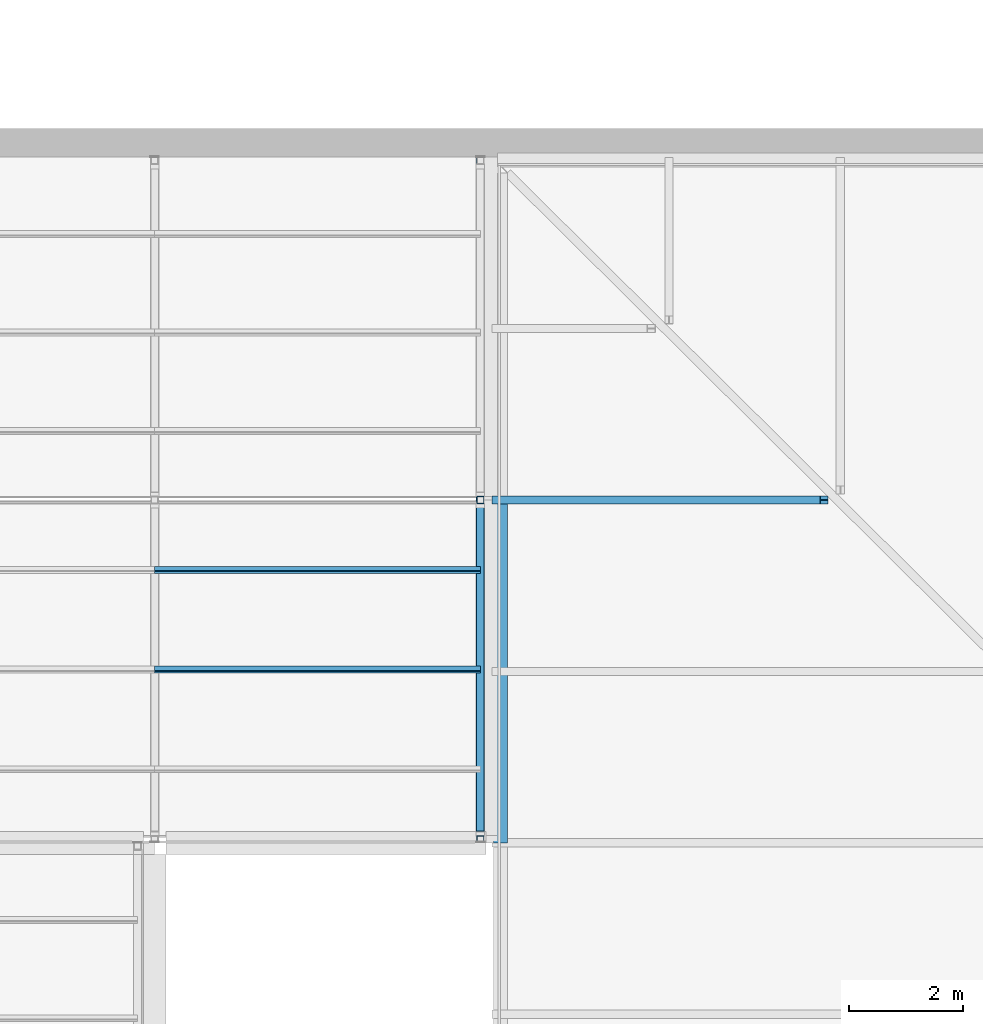
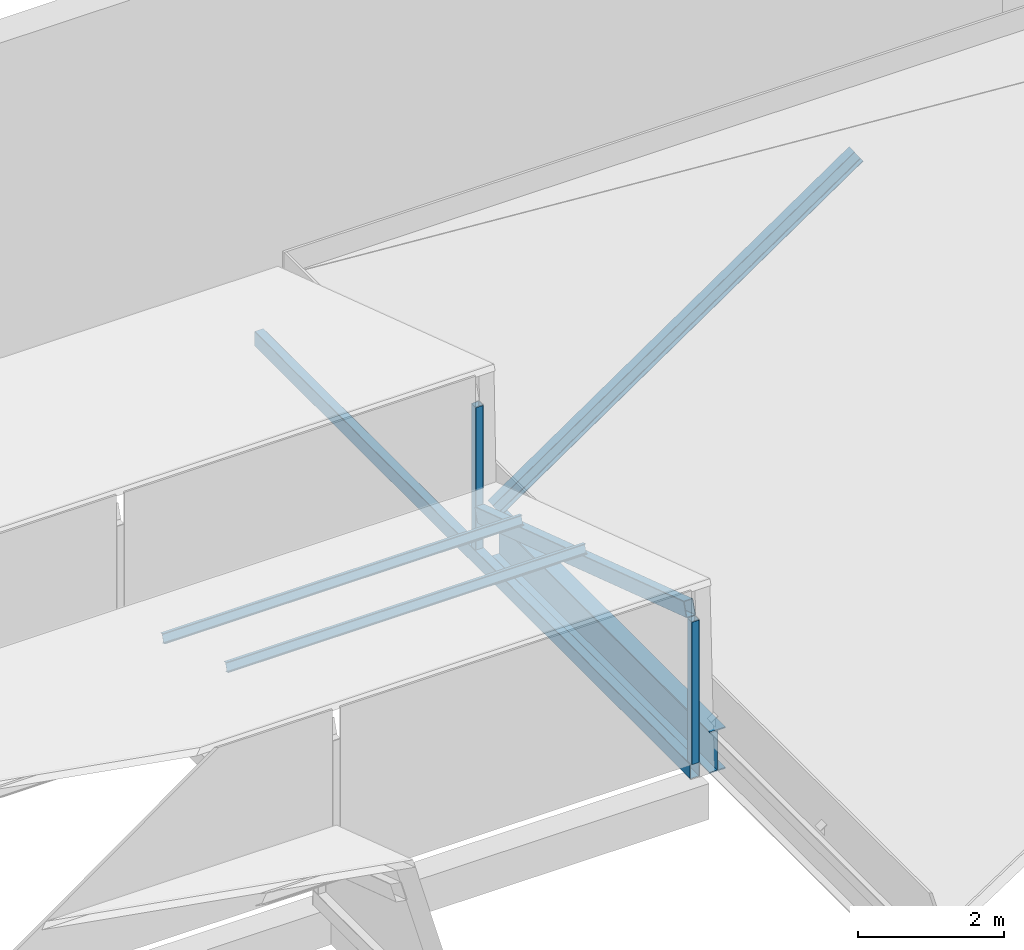
# One storey, part 21 of 118: 7 members, 1 beam.
"""IFC4 building model written with IfcOpenShell, lengths in metres."""

from ifc_helpers import new_model, si_unit, direction, frame, origin, origin_2d, place, context, subcontext, project, spatial, hollow_rectangle, i_section, extrude, material, material_profile, profile_set, type_object, element, save


model = new_model("IFC4")

# Units and contexts
model_context = context("Model", 3, precision=1e-05, world=origin(), true_north=direction((0.0, 1.0)))
body_context = subcontext(model_context, "Body", "Model", "MODEL_VIEW")
ifc_project = project(units=[si_unit("LENGTHUNIT", "METRE"), si_unit("AREAUNIT", "SQUARE_METRE"), si_unit("VOLUMEUNIT", "CUBIC_METRE"), si_unit("PLANEANGLEUNIT", "RADIAN"), si_unit("MASSUNIT", "GRAM", prefix="KILO")], contexts=[model_context])

# Site, building, storey
site_placement = place(None, origin())
site = spatial("IfcSite", under=ifc_project, at=site_placement, CompositionType="ELEMENT")
building_placement = place(site_placement, origin())
building = spatial("IfcBuilding", under=site, at=building_placement, Name="Saffron Lane Theatres", CompositionType="ELEMENT")
storey_placement = place(building_placement, frame((0.0, 0.0, 16.5)))
storey = spatial("IfcBuildingStorey", under=building, at=storey_placement, Name="L03", CompositionType="ELEMENT", Elevation=16.5)

# Beam
ifc_material_1 = material(Name="Steel Grade 350", Category="steel")
ifc_material_profile_1 = material_profile(ifc_material_1, i_section(OverallWidth=0.25, OverallDepth=0.699951171875, WebThickness=0.010009765625, FlangeThickness=0.02001953125, at=origin_2d()))
ifc_profile_set_1 = profile_set([ifc_material_profile_1], Name="Steel Grade 350")
beam_type = type_object("IfcBeamType", Name="ST-EAVE BEAM 700WB130", PredefinedType="BEAM", material=ifc_profile_set_1)
beam_placement = place(storey_placement, frame((36.050048828125, 18.0, 0.35009765625), z_axis=(0.0, 1.0, 0.0), x_axis=(-1.0, 0.0, 0.0)))
element("IfcBeam", 1, at=beam_placement, inside=storey, type_object=beam_type, Name="SE11", PredefinedType="BEAM", context=body_context, shape_type="SweptSolid", body=[
    extrude(i_section(OverallWidth=0.25, OverallDepth=0.699951171875, WebThickness=0.010009765625, FlangeThickness=0.02001953125, at=origin_2d()), origin(), (0.0, 0.0, 1.0), 6.0),
])

# Members
ifc_material_2 = material(Name="Steel Grade 350", Category="steel")
ifc_material_profile_2 = material_profile(ifc_material_2, i_section(OverallWidth=0.14599609375, OverallDepth=0.251953125, WebThickness=0.006103515625, FlangeThickness=0.008544921875, FilletRadius=0.011962890625, at=origin_2d()))
ifc_profile_set_2 = profile_set([ifc_material_profile_2], Name="Steel Grade 350")
member_type_1 = type_object("IfcMemberType", Name="ST-JACK RAFTER 250UB31.4", PredefinedType="RAFTER", material=ifc_profile_set_2)
member_1_placement = place(storey_placement, frame((35.97607421875, 24.0, 0.804931640625), z_axis=(0.825012685915, 0.0, 0.565114207997), x_axis=(0.0, 1.0, 0.0)))
element("IfcMember", 2, at=member_1_placement, inside=storey, type_object=member_type_1, Name="SK33", PredefinedType="RAFTER", context=body_context, shape_type="SweptSolid", body=[
    extrude(i_section(OverallWidth=0.14599609375, OverallDepth=0.251953125, WebThickness=0.006103515625, FlangeThickness=0.008544921875, FilletRadius=0.011962890625, at=origin_2d()), origin(), (0.0, 0.0, 1.0), 6.955078125),
])
ifc_material_3 = material(Name="Steel Grade 350", Category="steel")
ifc_material_profile_3 = material_profile(ifc_material_3, hollow_rectangle(XDim=0.125, YDim=0.125, WallThickness=0.006103515625, InnerFilletRadius=0.0029296875, OuterFilletRadius=0.009033203125, at=origin_2d()))
ifc_profile_set_3 = profile_set([ifc_material_profile_3], Name="Steel Grade 350")
member_type_2 = type_object("IfcMemberType", Name="ST-STUDIO POST 125x125x6 SHS", PredefinedType="POST", material=ifc_profile_set_3)
for number, where, z_axis, x_axis, name in (
    (3, (35.699951171875, 18.0625, 0.25), (0.0, 0.0, 1.0), (1.0, 0.0, 0.0), "GSP32"),
    (4, (35.699951171875, 24.0, 0.25), (0.0, 0.0, 1.0), (1.0, 0.0, 0.0), "GSP34"),
):
    element("IfcMember", number, at=place(storey_placement, frame(where, z_axis=z_axis, x_axis=x_axis)), inside=storey, type_object=member_type_2, Name=name, PredefinedType="POST", context=body_context, shape_type="SweptSolid", body=[
        extrude(hollow_rectangle(XDim=0.125, YDim=0.125, WallThickness=0.006103515625, InnerFilletRadius=0.0029296875, OuterFilletRadius=0.009033203125, at=origin_2d()), origin(), (0.0, 0.0, 1.0), 2.388671875),
    ])
ifc_material_4 = material(Name="Steel Grade 350", Category="steel")
ifc_material_profile_4 = material_profile(ifc_material_4, i_section(OverallWidth=0.074951171875, OverallDepth=0.155029296875, WebThickness=0.006103515625, FlangeThickness=0.009521484375, FilletRadius=0.008056640625, at=origin_2d()))
ifc_profile_set_4 = profile_set([ifc_material_profile_4], Name="Steel Grade 350")
member_type_3 = type_object("IfcMemberType", Name="ST-STUDIO PURLIN 150UB18.0", PredefinedType="PURLIN", material=ifc_profile_set_4)
for number, where, z_axis, x_axis, name in (
    (5, (30.0, 21.03125, 2.024658203125), (1.0, 0.0, 0.0), (0.0, 0.949628648787, -0.313377455162), "GSU46"),
    (6, (30.0, 22.77490234375, 1.44921875), (1.0, 0.0, 0.0), (0.0, 0.949628648787, -0.313377455162), "GSU51"),
):
    element("IfcMember", number, at=place(storey_placement, frame(where, z_axis=z_axis, x_axis=x_axis)), inside=storey, type_object=member_type_3, Name=name, PredefinedType="PURLIN", context=body_context, shape_type="SweptSolid", body=[
        extrude(i_section(OverallWidth=0.074951171875, OverallDepth=0.155029296875, WebThickness=0.006103515625, FlangeThickness=0.009521484375, FilletRadius=0.008056640625, at=origin_2d()), origin(), (0.0, 0.0, 1.0), 5.699951171875),
    ])
ifc_material_5 = material(Name="Steel Grade 350", Category="steel")
ifc_material_profile_5 = material_profile(ifc_material_5, hollow_rectangle(XDim=0.14990234375, YDim=0.25, WallThickness=0.009033203125, InnerFilletRadius=0.00439453125, OuterFilletRadius=0.013427734375, at=origin_2d()))
ifc_profile_set_5 = profile_set([ifc_material_profile_5], Name="Steel Grade 350")
member_type_4 = type_object("IfcMemberType", Name="ST-STUDIO TRUSS CHORD 250x150x9 RHS", PredefinedType="CHORD", material=ifc_profile_set_5)
member_2_placement = place(storey_placement, frame((35.699951171875, 18.02001953125, 0.125), z_axis=(0.0, 1.0, 0.0), x_axis=(-1.0, 0.0, 0.0)))
element("IfcMember", 7, at=member_2_placement, inside=storey, type_object=member_type_4, Name="GST31", PredefinedType="CHORD", context=body_context, shape_type="SweptSolid", body=[
    extrude(hollow_rectangle(XDim=0.14990234375, YDim=0.25, WallThickness=0.009033203125, InnerFilletRadius=0.00439453125, OuterFilletRadius=0.013427734375, at=origin_2d()), origin(), (0.0, 0.0, 1.0), 11.97998046875),
])
member_3_placement = place(storey_placement, frame((35.699951171875, 18.1640625, 2.757568359375), z_axis=(0.0, 0.949629130372, -0.313375995807), x_axis=(-1.0, 0.0, 0.0)))
element("IfcMember", 8, at=member_3_placement, inside=storey, type_object=member_type_4, Name="GSC33", PredefinedType="CHORD", context=body_context, shape_type="SweptSolid", body=[
    extrude(hollow_rectangle(XDim=0.14990234375, YDim=0.25, WallThickness=0.009033203125, InnerFilletRadius=0.00439453125, OuterFilletRadius=0.013427734375, at=origin_2d()), origin(), (0.0, 0.0, 1.0), 6.03857421875),
])

save(model, "model.ifc")
